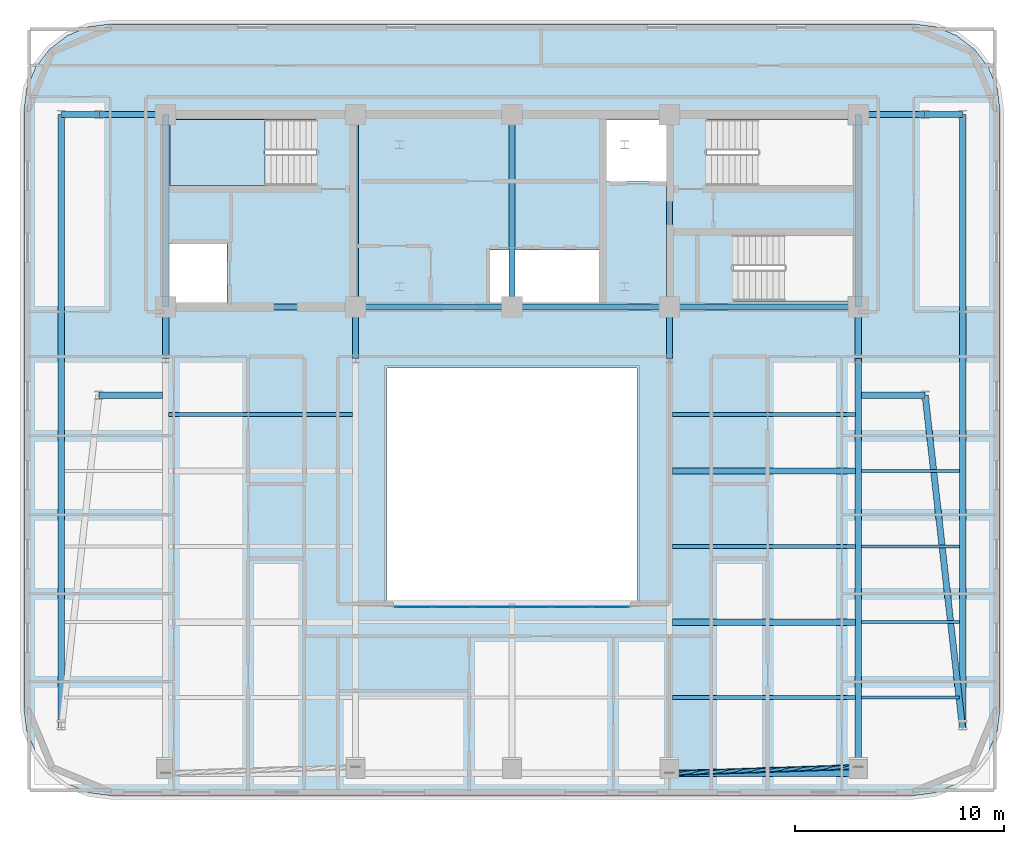
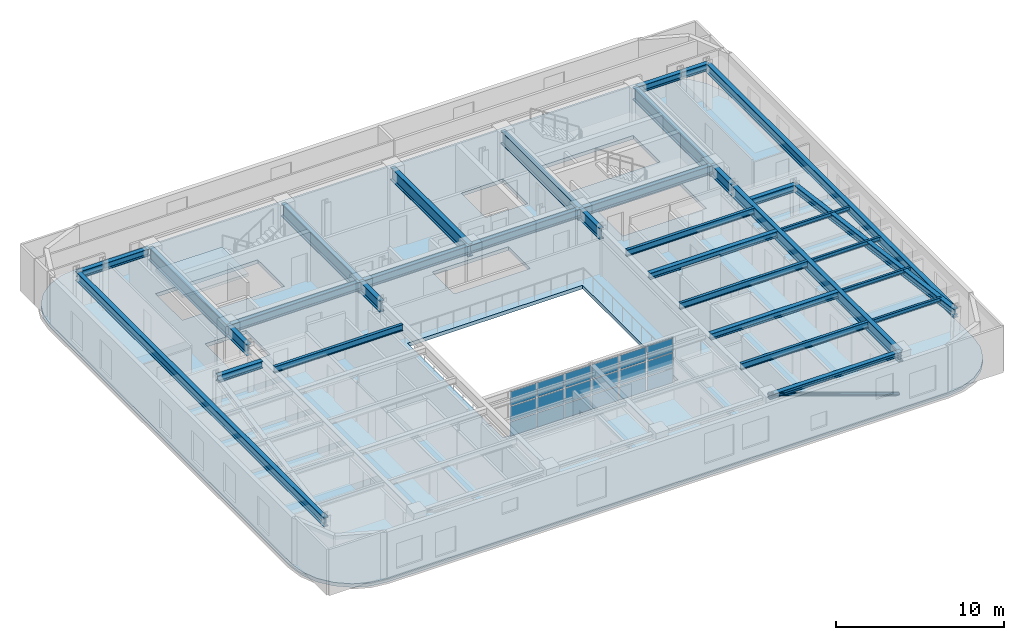
# One storey, part 3 of 14: 34 beams, 18 plates, 2 slabs, 1 member, 2 elements without a shape of their own.
"""IFC4 building model written with IfcOpenShell, lengths in metres."""

from ifc_helpers import new_model, si_unit, direction, frame, origin, origin_2d, place, context, subcontext, project, spatial, polyline, rectangle, hollow_circle, i_section, outline, extrude, material, layer, layer_set, material_profile, profile_set, type_object, element, aggregate, save


model = new_model("IFC4")

# Units and contexts
model_context = context("Model", 3, precision=1e-05, world=origin(), true_north=direction((0.0, 1.0)))
body_context = subcontext(model_context, "Body", "Model", "MODEL_VIEW")
ifc_project = project(units=[si_unit("LENGTHUNIT", "METRE"), si_unit("AREAUNIT", "SQUARE_METRE"), si_unit("VOLUMEUNIT", "CUBIC_METRE"), si_unit("PLANEANGLEUNIT", "RADIAN"), si_unit("MASSUNIT", "GRAM", prefix="KILO")], contexts=[model_context])

# Site, building, storey
site_placement = place(None, origin())
site = spatial("IfcSite", under=ifc_project, at=site_placement, CompositionType="ELEMENT")
building_placement = place(site_placement, origin())
building = spatial("IfcBuilding", under=site, at=building_placement, Name="Zarnavel Station Tower", CompositionType="ELEMENT")
storey_placement = place(building_placement, frame((0.0, 0.0, 225.60009765625)))
storey = spatial("IfcBuildingStorey", under=building, at=storey_placement, Name="L61", CompositionType="ELEMENT", Elevation=225.60009765625)

# Member
ifc_material_1 = material(Name="Steel S355J2", Category="steel")
ifc_material_profile_1 = material_profile(ifc_material_1, hollow_circle(Radius=0.122314453125, WallThickness=0.010009765625, at=origin_2d()), Name="CHS244.5x10")
ifc_profile_set_1 = profile_set([ifc_material_profile_1], Name="Steel S355J2")
member_type = type_object("IfcMemberType", Name="DB_EXT_CHS245", PredefinedType="BRACE", material=ifc_profile_set_1)
member_placement = place(storey_placement, frame((45.39990234375, 5.7841796875, 0.0), z_axis=(-0.937689468376, -0.031367620071, 0.346055679491), x_axis=(0.033433332735, -0.999440949863, 0.0)))
element("IfcMember", 1, at=member_placement, inside=storey, type_object=member_type, Name="L61 Persian Exterior Diagonal Frame Brace 2", PredefinedType="BRACE", context=body_context, shape_type="SweptSolid", body=[
    extrude(hollow_circle(Radius=0.122314453125, WallThickness=0.010009765625, at=origin_2d()), origin(), (0.0, 0.0, 1.0), 9.651123046875),
])

# Beams
ifc_material_2 = material(Name="Steel S355J2", Category="steel")
ifc_material_profile_2 = material_profile(ifc_material_2, i_section(OverallWidth=0.300048828125, OverallDepth=0.320068359375, WebThickness=0.011474609375, FlangeThickness=0.0205078125, FilletRadius=0.027099609375, at=origin_2d()), Name="HEB320")
ifc_profile_set_2 = profile_set([ifc_material_profile_2], Name="Steel S355J2")
beam_type_1 = type_object("IfcBeamType", Name="EB_HEB320", PredefinedType="SPANDREL", material=ifc_profile_set_2)
beam_1_placement = place(storey_placement, frame((36.35009765625, 5.4814453125, 3.179931640625), z_axis=(1.0, 0.0, 0.0), x_axis=(0.0, 1.0, 0.0)))
element("IfcBeam", 2, at=beam_1_placement, inside=storey, type_object=beam_type_1, Name="L61 South Raked Spandrel 4", PredefinedType="SPANDREL", context=body_context, shape_type="SweptSolid", body=[
    extrude(i_section(OverallWidth=0.300048828125, OverallDepth=0.320068359375, WebThickness=0.011474609375, FlangeThickness=0.0205078125, FilletRadius=0.027099609375, at=origin_2d()), origin(), (0.0, 0.0, 1.0), 9.0498046875),
])
ifc_material_3 = material(Name="Steel S355J2", Category="steel")
ifc_material_profile_3 = material_profile(ifc_material_3, i_section(OverallWidth=0.300048828125, OverallDepth=0.43994140625, WebThickness=0.011474609375, FlangeThickness=0.02099609375, FilletRadius=0.027099609375, at=origin_2d()), Name="HEA450")
ifc_profile_set_3 = profile_set([ifc_material_profile_3], Name="Steel S355J2")
beam_type_2 = type_object("IfcBeamType", Name="FB_HEA450", PredefinedType="BEAM", material=ifc_profile_set_3)
for number, where, z_axis, x_axis, name in (
    (3, (36.4951171875, 12.720947265625, 3.119873046875), (1.0, 0.0, 0.0), (0.0, 1.0, 0.0), "L61 East Bay Beam 2"),
    (4, (36.4951171875, 19.96044921875, 3.119873046875), (1.0, 0.0, 0.0), (0.0, 1.0, 0.0), "L61 East Bay Beam 4"),
):
    element("IfcBeam", number, at=place(storey_placement, frame(where, z_axis=z_axis, x_axis=x_axis)), inside=storey, type_object=beam_type_2, Name=name, PredefinedType="BEAM", context=body_context, shape_type="SweptSolid", body=[
        extrude(i_section(OverallWidth=0.300048828125, OverallDepth=0.43994140625, WebThickness=0.011474609375, FlangeThickness=0.02099609375, FilletRadius=0.027099609375, at=origin_2d()), origin(), (0.0, 0.0, 1.0), 8.759765625),
    ])
ifc_material_4 = material(Name="Steel S355J2", Category="steel")
ifc_material_profile_4 = material_profile(ifc_material_4, i_section(OverallWidth=0.18994140625, OverallDepth=0.449951171875, WebThickness=0.009521484375, FlangeThickness=0.0146484375, FilletRadius=0.02099609375, at=origin_2d()), Name="IPE450")
ifc_profile_set_4 = profile_set([ifc_material_profile_4], Name="Steel S355J2")
beam_type_3 = type_object("IfcBeamType", Name="FB_IPE450", PredefinedType="BEAM", material=ifc_profile_set_4)
for number, where, z_axis, x_axis, name in (
    (5, (36.4951171875, 9.101318359375, 3.114990234375), (1.0, 0.0, 0.0), (0.0, 1.0, 0.0), "L61 East Bay Beam 1"),
    (6, (36.4951171875, 16.3408203125, 3.114990234375), (1.0, 0.0, 0.0), (0.0, 1.0, 0.0), "L61 East Bay Beam 3"),
):
    element("IfcBeam", number, at=place(storey_placement, frame(where, z_axis=z_axis, x_axis=x_axis)), inside=storey, type_object=beam_type_3, Name=name, PredefinedType="BEAM", context=body_context, shape_type="SweptSolid", body=[
        extrude(i_section(OverallWidth=0.18994140625, OverallDepth=0.449951171875, WebThickness=0.009521484375, FlangeThickness=0.0146484375, FilletRadius=0.02099609375, at=origin_2d()), origin(), (0.0, 0.0, 1.0), 8.759765625),
    ])
beam_2_placement = place(storey_placement, frame((12.344970703125, 22.68017578125, 3.114990234375), z_axis=(1.0, 0.0, 0.0), x_axis=(0.0, 1.0, 0.0)))
element("IfcBeam", 7, at=beam_2_placement, inside=storey, type_object=beam_type_3, Name="L61 West Bay Beam 5", PredefinedType="BEAM", context=body_context, shape_type="SweptSolid", body=[
    extrude(i_section(OverallWidth=0.18994140625, OverallDepth=0.449951171875, WebThickness=0.009521484375, FlangeThickness=0.0146484375, FilletRadius=0.02099609375, at=origin_2d()), origin(), (0.0, 0.0, 1.0), 8.81005859375),
])
beam_3_placement = place(storey_placement, frame((36.4951171875, 22.68017578125, 3.114990234375), z_axis=(1.0, 0.0, 0.0), x_axis=(0.0, 1.0, 0.0)))
element("IfcBeam", 8, at=beam_3_placement, inside=storey, type_object=beam_type_3, Name="L61 East Bay Beam 5", PredefinedType="BEAM", context=body_context, shape_type="SweptSolid", body=[
    extrude(i_section(OverallWidth=0.18994140625, OverallDepth=0.449951171875, WebThickness=0.009521484375, FlangeThickness=0.0146484375, FilletRadius=0.02099609375, at=origin_2d()), origin(), (0.0, 0.0, 1.0), 8.759765625),
])
ifc_material_5 = material(Name="Steel S355J2", Category="steel")
ifc_material_profile_5 = material_profile(ifc_material_5, i_section(OverallWidth=0.300048828125, OverallDepth=0.5, WebThickness=0.014404296875, FlangeThickness=0.028076171875, FilletRadius=0.027099609375, at=origin_2d()), Name="HEB500")
ifc_profile_set_5 = profile_set([ifc_material_profile_5], Name="Steel S355J2")
beam_type_4 = type_object("IfcBeamType", Name="FG_HEB500", PredefinedType="USERDEFINED", material=ifc_profile_set_5)
beam_4_placement = place(storey_placement, frame((7.199951171875, 37.050048828125, 3.08984375), z_axis=(1.0, 0.0, 0.0), x_axis=(0.0, 1.0, 0.0)))
element("IfcBeam", 9, at=beam_4_placement, inside=storey, type_object=beam_type_4, Name="L61 West Wing North Tie 1", ObjectType="GIRDER", PredefinedType="USERDEFINED", context=body_context, shape_type="SweptSolid", body=[
    extrude(i_section(OverallWidth=0.300048828125, OverallDepth=0.5, WebThickness=0.014404296875, FlangeThickness=0.028076171875, FilletRadius=0.027099609375, at=origin_2d()), origin(), (0.0, 0.0, 1.0), 1.800048828125),
])
for number, where, z_axis, x_axis, name in (
    (10, (9.0, 23.60009765625, 3.08984375), (1.0, 0.0, 0.0), (0.0, 1.0, 0.0), "L61 West Wing South Tie 2"),
    (11, (9.0, 37.050048828125, 3.08984375), (1.0, 0.0, 0.0), (0.0, 1.0, 0.0), "L61 West Wing North Tie 2"),
):
    element("IfcBeam", number, at=place(storey_placement, frame(where, z_axis=z_axis, x_axis=x_axis)), inside=storey, type_object=beam_type_4, Name=name, ObjectType="GIRDER", PredefinedType="USERDEFINED", context=body_context, shape_type="SweptSolid", body=[
        extrude(i_section(OverallWidth=0.300048828125, OverallDepth=0.5, WebThickness=0.014404296875, FlangeThickness=0.028076171875, FilletRadius=0.027099609375, at=origin_2d()), origin(), (0.0, 0.0, 1.0), 3.054931640625),
    ])
for number, where, z_axis, x_axis, name in (
    (12, (45.544921875, 23.60009765625, 3.08984375), (1.0, 0.0, 0.0), (0.0, 1.0, 0.0), "L61 East Wing South Tie 1"),
    (13, (45.544921875, 37.050048828125, 3.08984375), (1.0, 0.0, 0.0), (0.0, 1.0, 0.0), "L61 East Wing North Tie 1"),
):
    element("IfcBeam", number, at=place(storey_placement, frame(where, z_axis=z_axis, x_axis=x_axis)), inside=storey, type_object=beam_type_4, Name=name, ObjectType="GIRDER", PredefinedType="USERDEFINED", context=body_context, shape_type="SweptSolid", body=[
        extrude(i_section(OverallWidth=0.300048828125, OverallDepth=0.5, WebThickness=0.014404296875, FlangeThickness=0.028076171875, FilletRadius=0.027099609375, at=origin_2d()), origin(), (0.0, 0.0, 1.0), 3.05517578125),
    ])
beam_5_placement = place(storey_placement, frame((48.60009765625, 23.60009765625, 3.08984375), z_axis=(0.11160957251, -0.993752133746, 0.0), x_axis=(0.993752133746, 0.11160957251, 0.0)))
element("IfcBeam", 14, at=beam_5_placement, inside=storey, type_object=beam_type_4, Name="L61 East Wing South Tie 2", ObjectType="GIRDER", PredefinedType="USERDEFINED", context=body_context, shape_type="SweptSolid", body=[
    extrude(i_section(OverallWidth=0.300048828125, OverallDepth=0.5, WebThickness=0.014404296875, FlangeThickness=0.028076171875, FilletRadius=0.027099609375, at=origin_2d()), origin(), (0.0, 0.0, 1.0), 16.1259765625),
])
beam_6_placement = place(storey_placement, frame((48.60009765625, 37.050048828125, 3.08984375), z_axis=(1.0, 0.0, 0.0), x_axis=(0.0, 1.0, 0.0)))
element("IfcBeam", 15, at=beam_6_placement, inside=storey, type_object=beam_type_4, Name="L61 East Wing North Tie 2", ObjectType="GIRDER", PredefinedType="USERDEFINED", context=body_context, shape_type="SweptSolid", body=[
    extrude(i_section(OverallWidth=0.300048828125, OverallDepth=0.5, WebThickness=0.014404296875, FlangeThickness=0.028076171875, FilletRadius=0.027099609375, at=origin_2d()), origin(), (0.0, 0.0, 1.0), 1.7998046875),
])
ifc_material_6 = material(Name="Steel S355J2", Category="steel")
ifc_material_profile_6 = material_profile(ifc_material_6, i_section(OverallWidth=0.300048828125, OverallDepth=0.60009765625, WebThickness=0.015380859375, FlangeThickness=0.030029296875, FilletRadius=0.027099609375, at=origin_2d()), Name="HEB600")
ifc_profile_set_6 = profile_set([ifc_material_profile_6], Name="Steel S355J2")
beam_type_5 = type_object("IfcBeamType", Name="FG_HEB600", PredefinedType="USERDEFINED", material=ifc_profile_set_6)
beam_7_placement = place(storey_placement, frame((12.199951171875, 27.820068359375, 3.039794921875), z_axis=(1.0, 0.0, 0.0), x_axis=(0.0, 1.0, 0.0)))
element("IfcBeam", 16, at=beam_7_placement, inside=storey, type_object=beam_type_5, Name="L61 Core Front Coupling Beam 1", ObjectType="GIRDER", PredefinedType="USERDEFINED", context=body_context, shape_type="SweptSolid", body=[
    extrude(i_section(OverallWidth=0.300048828125, OverallDepth=0.60009765625, WebThickness=0.015380859375, FlangeThickness=0.030029296875, FilletRadius=0.027099609375, at=origin_2d()), origin(), (0.0, 0.0, 1.0), 9.10009765625),
])
beam_8_placement = place(storey_placement, frame((21.300048828125, 27.820068359375, 3.039794921875), z_axis=(1.0, 0.0, 0.0), x_axis=(0.0, 1.0, 0.0)))
element("IfcBeam", 17, at=beam_8_placement, inside=storey, type_object=beam_type_5, Name="L61 Core Front Coupling Beam 2", ObjectType="GIRDER", PredefinedType="USERDEFINED", context=body_context, shape_type="SweptSolid", body=[
    extrude(i_section(OverallWidth=0.300048828125, OverallDepth=0.60009765625, WebThickness=0.015380859375, FlangeThickness=0.030029296875, FilletRadius=0.027099609375, at=origin_2d()), origin(), (0.0, 0.0, 1.0), 7.5),
])
beam_9_placement = place(storey_placement, frame((28.800048828125, 27.820068359375, 3.039794921875), z_axis=(1.0, 0.0, 0.0), x_axis=(0.0, 1.0, 0.0)))
element("IfcBeam", 18, at=beam_9_placement, inside=storey, type_object=beam_type_5, Name="L61 Core Front Coupling Beam 3", ObjectType="GIRDER", PredefinedType="USERDEFINED", context=body_context, shape_type="SweptSolid", body=[
    extrude(i_section(OverallWidth=0.300048828125, OverallDepth=0.60009765625, WebThickness=0.015380859375, FlangeThickness=0.030029296875, FilletRadius=0.027099609375, at=origin_2d()), origin(), (0.0, 0.0, 1.0), 7.550048828125),
])
beam_10_placement = place(storey_placement, frame((36.35009765625, 27.820068359375, 3.039794921875), z_axis=(1.0, 0.0, 0.0), x_axis=(0.0, 1.0, 0.0)))
element("IfcBeam", 19, at=beam_10_placement, inside=storey, type_object=beam_type_5, Name="L61 Core Front Coupling Beam 4", ObjectType="GIRDER", PredefinedType="USERDEFINED", context=body_context, shape_type="SweptSolid", body=[
    extrude(i_section(OverallWidth=0.300048828125, OverallDepth=0.60009765625, WebThickness=0.015380859375, FlangeThickness=0.030029296875, FilletRadius=0.027099609375, at=origin_2d()), origin(), (0.0, 0.0, 1.0), 9.0498046875),
])
ifc_material_7 = material(Name="Steel S355J2", Category="steel")
ifc_material_profile_7 = material_profile(ifc_material_7, i_section(OverallWidth=0.300048828125, OverallDepth=0.64990234375, WebThickness=0.01611328125, FlangeThickness=0.031005859375, FilletRadius=0.027099609375, at=origin_2d()), Name="HEB650")
ifc_profile_set_7 = profile_set([ifc_material_profile_7], Name="Steel S355J2")
beam_type_6 = type_object("IfcBeamType", Name="FG_HEB650", PredefinedType="USERDEFINED", material=ifc_profile_set_7)
for number, where, z_axis, x_axis, name in (
    (20, (7.199951171875, 7.574951171875, 3.014892578125), (0.0, 1.0, 0.0), (-1.0, 0.0, 0.0), "L61 Wing NS Girder 1"),
    (21, (50.39990234375, 7.574951171875, 3.014892578125), (0.0, 1.0, 0.0), (-1.0, 0.0, 0.0), "L61 Wing NS Girder 2"),
):
    element("IfcBeam", number, at=place(storey_placement, frame(where, z_axis=z_axis, x_axis=x_axis)), inside=storey, type_object=beam_type_6, Name=name, ObjectType="GIRDER", PredefinedType="USERDEFINED", context=body_context, shape_type="SweptSolid", body=[
        extrude(i_section(OverallWidth=0.300048828125, OverallDepth=0.64990234375, WebThickness=0.01611328125, FlangeThickness=0.031005859375, FilletRadius=0.027099609375, at=origin_2d()), origin(), (0.0, 0.0, 1.0), 29.47509765625),
    ])
ifc_material_8 = material(Name="Steel S355J2", Category="steel")
ifc_material_profile_8 = material_profile(ifc_material_8, i_section(OverallWidth=0.300048828125, OverallDepth=0.800048828125, WebThickness=0.017578125, FlangeThickness=0.032958984375, FilletRadius=0.030029296875, at=origin_2d()), Name="HEB800")
ifc_profile_set_8 = profile_set([ifc_material_profile_8], Name="Steel S355J2")
beam_type_7 = type_object("IfcBeamType", Name="FG_HEB800", PredefinedType="USERDEFINED", material=ifc_profile_set_8)
for number, where, z_axis, x_axis, name in (
    (22, (12.199951171875, 25.35009765625, 2.93994140625), (0.0, 1.0, 0.0), (-1.0, 0.0, 0.0), "L61 Inner-Zone NS Girder 1"),
    (23, (21.300048828125, 25.35009765625, 2.93994140625), (0.0, 1.0, 0.0), (-1.0, 0.0, 0.0), "L61 Inner-Zone NS Girder 2"),
    (24, (36.35009765625, 25.35009765625, 2.93994140625), (0.0, 1.0, 0.0), (-1.0, 0.0, 0.0), "L61 Inner-Zone NS Girder 4"),
):
    element("IfcBeam", number, at=place(storey_placement, frame(where, z_axis=z_axis, x_axis=x_axis)), inside=storey, type_object=beam_type_7, Name=name, ObjectType="GIRDER", PredefinedType="USERDEFINED", context=body_context, shape_type="SweptSolid", body=[
        extrude(i_section(OverallWidth=0.300048828125, OverallDepth=0.800048828125, WebThickness=0.017578125, FlangeThickness=0.032958984375, FilletRadius=0.030029296875, at=origin_2d()), origin(), (0.0, 0.0, 1.0), 2.469970703125),
    ])
beam_11_placement = place(storey_placement, frame((45.39990234375, 5.4814453125, 2.93994140625), z_axis=(0.0, 1.0, 0.0), x_axis=(-1.0, 0.0, 0.0)))
element("IfcBeam", 25, at=beam_11_placement, inside=storey, type_object=beam_type_7, Name="L61 South-Zone NS Girder 5", ObjectType="GIRDER", PredefinedType="USERDEFINED", context=body_context, shape_type="SweptSolid", body=[
    extrude(i_section(OverallWidth=0.300048828125, OverallDepth=0.800048828125, WebThickness=0.017578125, FlangeThickness=0.032958984375, FilletRadius=0.030029296875, at=origin_2d()), origin(), (0.0, 0.0, 1.0), 19.86865234375),
])
beam_12_placement = place(storey_placement, frame((45.39990234375, 25.35009765625, 2.93994140625), z_axis=(0.0, 1.0, 0.0), x_axis=(-1.0, 0.0, 0.0)))
element("IfcBeam", 26, at=beam_12_placement, inside=storey, type_object=beam_type_7, Name="L61 Inner-Zone NS Girder 5", ObjectType="GIRDER", PredefinedType="USERDEFINED", context=body_context, shape_type="SweptSolid", body=[
    extrude(i_section(OverallWidth=0.300048828125, OverallDepth=0.800048828125, WebThickness=0.017578125, FlangeThickness=0.032958984375, FilletRadius=0.030029296875, at=origin_2d()), origin(), (0.0, 0.0, 1.0), 2.469970703125),
])
ifc_material_9 = material(Name="Steel S355J2", Category="steel")
ifc_material_profile_9 = material_profile(ifc_material_9, i_section(OverallWidth=0.14990234375, OverallDepth=0.300048828125, WebThickness=0.007080078125, FlangeThickness=0.0107421875, FilletRadius=0.014892578125, at=origin_2d()), Name="IPE300")
ifc_profile_set_9 = profile_set([ifc_material_profile_9], Name="Steel S355J2")
beam_type_8 = type_object("IfcBeamType", Name="FJ_IPE300", PredefinedType="JOIST", material=ifc_profile_set_9)
for number, where, z_axis, x_axis, name in (
    (27, (45.544921875, 9.101318359375, 3.18994140625), (1.0, 0.0, 0.0), (0.0, 1.0, 0.0), "L61 East Wing Joist 1"),
    (28, (45.544921875, 12.720947265625, 3.18994140625), (1.0, 0.0, 0.0), (0.0, 1.0, 0.0), "L61 East Wing Joist 2"),
    (29, (45.544921875, 16.3408203125, 3.18994140625), (1.0, 0.0, 0.0), (0.0, 1.0, 0.0), "L61 East Wing Joist 3"),
    (30, (45.544921875, 19.96044921875, 3.18994140625), (1.0, 0.0, 0.0), (0.0, 1.0, 0.0), "L61 East Wing Joist 4"),
):
    element("IfcBeam", number, at=place(storey_placement, frame(where, z_axis=z_axis, x_axis=x_axis)), inside=storey, type_object=beam_type_8, Name=name, PredefinedType="JOIST", context=body_context, shape_type="SweptSolid", body=[
        extrude(i_section(OverallWidth=0.14990234375, OverallDepth=0.300048828125, WebThickness=0.007080078125, FlangeThickness=0.0107421875, FilletRadius=0.014892578125, at=origin_2d()), origin(), (0.0, 0.0, 1.0), 4.7099609375),
    ])
ifc_material_10 = material(Name="Steel S460M", Category="steel")
ifc_material_profile_10 = material_profile(ifc_material_10, i_section(OverallWidth=0.302001953125, OverallDepth=0.909912109375, WebThickness=0.02099609375, FlangeThickness=0.0400390625, FilletRadius=0.030029296875, at=origin_2d()), Name="HEM900")
ifc_profile_set_10 = profile_set([ifc_material_profile_10], Name="Steel S460M")
beam_type_9 = type_object("IfcBeamType", Name="TG_HEM900", PredefinedType="USERDEFINED", material=ifc_profile_set_10)
for number, where, z_axis, x_axis, name in (
    (31, (12.199951171875, 27.820068359375, 2.885009765625), (0.0, 1.0, 0.0), (-1.0, 0.0, 0.0), "L61 Core Spine Coupling Girder 1"),
    (32, (21.300048828125, 27.820068359375, 2.885009765625), (0.0, 1.0, 0.0), (-1.0, 0.0, 0.0), "L61 Core Spine Coupling Girder 2"),
    (33, (28.800048828125, 27.820068359375, 2.885009765625), (0.0, 1.0, 0.0), (-1.0, 0.0, 0.0), "L61 Core Spine Coupling Girder 3"),
    (34, (36.35009765625, 27.820068359375, 2.885009765625), (0.0, 1.0, 0.0), (-1.0, 0.0, 0.0), "L61 Core Spine Coupling Girder 4"),
    (35, (45.39990234375, 27.820068359375, 2.885009765625), (0.0, 1.0, 0.0), (-1.0, 0.0, 0.0), "L61 Core Spine Coupling Girder 5"),
):
    element("IfcBeam", number, at=place(storey_placement, frame(where, z_axis=z_axis, x_axis=x_axis)), inside=storey, type_object=beam_type_9, Name=name, ObjectType="GIRDER", PredefinedType="USERDEFINED", context=body_context, shape_type="SweptSolid", body=[
        extrude(i_section(OverallWidth=0.302001953125, OverallDepth=0.909912109375, WebThickness=0.02099609375, FlangeThickness=0.0400390625, FilletRadius=0.030029296875, at=origin_2d()), origin(), (0.0, 0.0, 1.0), 9.22998046875),
    ])

# Curtain wall, plates
ifc_material_11 = material(Name="Aluminium Dark Anodised and Solar-Control Glass", Category="aluminium")
ifc_layer_1 = layer(ifc_material_11, 0.179931640625)
ifc_layer_set_1 = layer_set([ifc_layer_1], Name="CWS5")
curtain_wall_type = type_object("IfcCurtainWallType", Name="CWS5", PredefinedType="NOTDEFINED", material=ifc_layer_set_1)
curtain_wall_placement = place(storey_placement, origin())
curtain_wall = element("IfcCurtainWall", 36, at=curtain_wall_placement, inside=storey, type_object=curtain_wall_type, Name="L61 Curtain Wall CWS5-L61-AS", PredefinedType="NOTDEFINED")
ifc_material_12 = material(Name="Double Low-E Dark Solar-Control Glass", Category="glass")
ifc_layer_2 = layer(ifc_material_12, 0.033935546875)
ifc_layer_set_2 = layer_set([ifc_layer_2], Name="CWS5_PNL")
plate_type = type_object("IfcPlateType", Name="CWS5_PNL", PredefinedType="CURTAIN_PANEL", material=ifc_layer_set_2)
plate_1_placement = place(storey_placement, frame((24.106689453125, 13.449951171875, 0.06005859375), z_axis=(0.0, 0.0, 1.0), x_axis=(1.0, 0.0, 0.0)))
plate_1 = element("IfcPlate", 37, at=plate_1_placement, type_object=plate_type, Name="CW5 panel 1.1", PredefinedType="CURTAIN_PANEL", context=body_context, shape_type="SweptSolid", body=[
    extrude(rectangle(XDim=1.793212890625, YDim=0.028076171875, at=origin_2d()), origin(), (0.0, 0.0, 1.0), 1.023193359375),
])
plate_2_placement = place(storey_placement, frame((24.106689453125, 13.449951171875, 1.14306640625), z_axis=(0.0, 0.0, 1.0), x_axis=(1.0, 0.0, 0.0)))
plate_2 = element("IfcPlate", 38, at=plate_2_placement, type_object=plate_type, Name="CW5 panel 1.2", PredefinedType="CURTAIN_PANEL", context=body_context, shape_type="SweptSolid", body=[
    extrude(rectangle(XDim=1.793212890625, YDim=0.028076171875, at=origin_2d()), origin(), (0.0, 0.0, 1.0), 1.053466796875),
])
plate_3_placement = place(storey_placement, frame((24.106689453125, 13.449951171875, 2.2568359375), z_axis=(0.0, 0.0, 1.0), x_axis=(1.0, 0.0, 0.0)))
plate_3 = element("IfcPlate", 39, at=plate_3_placement, type_object=plate_type, Name="CW5 panel 1.3", PredefinedType="CURTAIN_PANEL", context=body_context, shape_type="SweptSolid", body=[
    extrude(rectangle(XDim=1.793212890625, YDim=0.028076171875, at=origin_2d()), origin(), (0.0, 0.0, 1.0), 1.023193359375),
])
plate_4_placement = place(storey_placement, frame((25.97509765625, 13.449951171875, 0.06005859375), z_axis=(0.0, 0.0, 1.0), x_axis=(1.0, 0.0, 0.0)))
plate_4 = element("IfcPlate", 40, at=plate_4_placement, type_object=plate_type, Name="CW5 panel 2.1", PredefinedType="CURTAIN_PANEL", context=body_context, shape_type="SweptSolid", body=[
    extrude(rectangle(XDim=1.8232421875, YDim=0.028076171875, at=origin_2d()), origin(), (0.0, 0.0, 1.0), 1.023193359375),
])
plate_5_placement = place(storey_placement, frame((25.97509765625, 13.449951171875, 1.14306640625), z_axis=(0.0, 0.0, 1.0), x_axis=(1.0, 0.0, 0.0)))
plate_5 = element("IfcPlate", 41, at=plate_5_placement, type_object=plate_type, Name="CW5 panel 2.2", PredefinedType="CURTAIN_PANEL", context=body_context, shape_type="SweptSolid", body=[
    extrude(rectangle(XDim=1.8232421875, YDim=0.028076171875, at=origin_2d()), origin(), (0.0, 0.0, 1.0), 1.053466796875),
])
plate_6_placement = place(storey_placement, frame((25.97509765625, 13.449951171875, 2.2568359375), z_axis=(0.0, 0.0, 1.0), x_axis=(1.0, 0.0, 0.0)))
plate_6 = element("IfcPlate", 42, at=plate_6_placement, type_object=plate_type, Name="CW5 panel 2.3", PredefinedType="CURTAIN_PANEL", context=body_context, shape_type="SweptSolid", body=[
    extrude(rectangle(XDim=1.8232421875, YDim=0.028076171875, at=origin_2d()), origin(), (0.0, 0.0, 1.0), 1.023193359375),
])
plate_7_placement = place(storey_placement, frame((27.8583984375, 13.449951171875, 0.06005859375), z_axis=(0.0, 0.0, 1.0), x_axis=(1.0, 0.0, 0.0)))
plate_7 = element("IfcPlate", 43, at=plate_7_placement, type_object=plate_type, Name="CW5 panel 3.1", PredefinedType="CURTAIN_PANEL", context=body_context, shape_type="SweptSolid", body=[
    extrude(rectangle(XDim=1.8232421875, YDim=0.028076171875, at=origin_2d()), origin(), (0.0, 0.0, 1.0), 1.023193359375),
])
plate_8_placement = place(storey_placement, frame((27.8583984375, 13.449951171875, 1.14306640625), z_axis=(0.0, 0.0, 1.0), x_axis=(1.0, 0.0, 0.0)))
plate_8 = element("IfcPlate", 44, at=plate_8_placement, type_object=plate_type, Name="CW5 panel 3.2", PredefinedType="CURTAIN_PANEL", context=body_context, shape_type="SweptSolid", body=[
    extrude(rectangle(XDim=1.8232421875, YDim=0.028076171875, at=origin_2d()), origin(), (0.0, 0.0, 1.0), 1.053466796875),
])
plate_9_placement = place(storey_placement, frame((27.8583984375, 13.449951171875, 2.2568359375), z_axis=(0.0, 0.0, 1.0), x_axis=(1.0, 0.0, 0.0)))
plate_9 = element("IfcPlate", 45, at=plate_9_placement, type_object=plate_type, Name="CW5 panel 3.3", PredefinedType="CURTAIN_PANEL", context=body_context, shape_type="SweptSolid", body=[
    extrude(rectangle(XDim=1.8232421875, YDim=0.028076171875, at=origin_2d()), origin(), (0.0, 0.0, 1.0), 1.023193359375),
])
plate_10_placement = place(storey_placement, frame((29.74169921875, 13.449951171875, 0.06005859375), z_axis=(0.0, 0.0, 1.0), x_axis=(1.0, 0.0, 0.0)))
plate_10 = element("IfcPlate", 46, at=plate_10_placement, type_object=plate_type, Name="CW5 panel 4.1", PredefinedType="CURTAIN_PANEL", context=body_context, shape_type="SweptSolid", body=[
    extrude(rectangle(XDim=1.8232421875, YDim=0.028076171875, at=origin_2d()), origin(), (0.0, 0.0, 1.0), 1.023193359375),
])
plate_11_placement = place(storey_placement, frame((29.74169921875, 13.449951171875, 1.14306640625), z_axis=(0.0, 0.0, 1.0), x_axis=(1.0, 0.0, 0.0)))
plate_11 = element("IfcPlate", 47, at=plate_11_placement, type_object=plate_type, Name="CW5 panel 4.2", PredefinedType="CURTAIN_PANEL", context=body_context, shape_type="SweptSolid", body=[
    extrude(rectangle(XDim=1.8232421875, YDim=0.028076171875, at=origin_2d()), origin(), (0.0, 0.0, 1.0), 1.053466796875),
])
plate_12_placement = place(storey_placement, frame((29.74169921875, 13.449951171875, 2.2568359375), z_axis=(0.0, 0.0, 1.0), x_axis=(1.0, 0.0, 0.0)))
plate_12 = element("IfcPlate", 48, at=plate_12_placement, type_object=plate_type, Name="CW5 panel 4.3", PredefinedType="CURTAIN_PANEL", context=body_context, shape_type="SweptSolid", body=[
    extrude(rectangle(XDim=1.8232421875, YDim=0.028076171875, at=origin_2d()), origin(), (0.0, 0.0, 1.0), 1.023193359375),
])
plate_13_placement = place(storey_placement, frame((31.625, 13.449951171875, 0.06005859375), z_axis=(0.0, 0.0, 1.0), x_axis=(1.0, 0.0, 0.0)))
plate_13 = element("IfcPlate", 49, at=plate_13_placement, type_object=plate_type, Name="CW5 panel 5.1", PredefinedType="CURTAIN_PANEL", context=body_context, shape_type="SweptSolid", body=[
    extrude(rectangle(XDim=1.8232421875, YDim=0.028076171875, at=origin_2d()), origin(), (0.0, 0.0, 1.0), 1.023193359375),
])
plate_14_placement = place(storey_placement, frame((31.625, 13.449951171875, 1.14306640625), z_axis=(0.0, 0.0, 1.0), x_axis=(1.0, 0.0, 0.0)))
plate_14 = element("IfcPlate", 50, at=plate_14_placement, type_object=plate_type, Name="CW5 panel 5.2", PredefinedType="CURTAIN_PANEL", context=body_context, shape_type="SweptSolid", body=[
    extrude(rectangle(XDim=1.8232421875, YDim=0.028076171875, at=origin_2d()), origin(), (0.0, 0.0, 1.0), 1.053466796875),
])
plate_15_placement = place(storey_placement, frame((31.625, 13.449951171875, 2.2568359375), z_axis=(0.0, 0.0, 1.0), x_axis=(1.0, 0.0, 0.0)))
plate_15 = element("IfcPlate", 51, at=plate_15_placement, type_object=plate_type, Name="CW5 panel 5.3", PredefinedType="CURTAIN_PANEL", context=body_context, shape_type="SweptSolid", body=[
    extrude(rectangle(XDim=1.8232421875, YDim=0.028076171875, at=origin_2d()), origin(), (0.0, 0.0, 1.0), 1.023193359375),
])
plate_16_placement = place(storey_placement, frame((33.493408203125, 13.449951171875, 0.06005859375), z_axis=(0.0, 0.0, 1.0), x_axis=(1.0, 0.0, 0.0)))
plate_16 = element("IfcPlate", 52, at=plate_16_placement, type_object=plate_type, Name="CW5 panel 6.1", PredefinedType="CURTAIN_PANEL", context=body_context, shape_type="SweptSolid", body=[
    extrude(rectangle(XDim=1.793212890625, YDim=0.028076171875, at=origin_2d()), origin(), (0.0, 0.0, 1.0), 1.023193359375),
])
plate_17_placement = place(storey_placement, frame((33.493408203125, 13.449951171875, 1.14306640625), z_axis=(0.0, 0.0, 1.0), x_axis=(1.0, 0.0, 0.0)))
plate_17 = element("IfcPlate", 53, at=plate_17_placement, type_object=plate_type, Name="CW5 panel 6.2", PredefinedType="CURTAIN_PANEL", context=body_context, shape_type="SweptSolid", body=[
    extrude(rectangle(XDim=1.793212890625, YDim=0.028076171875, at=origin_2d()), origin(), (0.0, 0.0, 1.0), 1.053466796875),
])
plate_18_placement = place(storey_placement, frame((33.493408203125, 13.449951171875, 2.2568359375), z_axis=(0.0, 0.0, 1.0), x_axis=(1.0, 0.0, 0.0)))
plate_18 = element("IfcPlate", 54, at=plate_18_placement, type_object=plate_type, Name="CW5 panel 6.3", PredefinedType="CURTAIN_PANEL", context=body_context, shape_type="SweptSolid", body=[
    extrude(rectangle(XDim=1.793212890625, YDim=0.028076171875, at=origin_2d()), origin(), (0.0, 0.0, 1.0), 1.023193359375),
])
aggregate(curtain_wall, [plate_1, plate_2, plate_3, plate_4, plate_5, plate_6, plate_7, plate_8, plate_9, plate_10, plate_11, plate_12, plate_13, plate_14, plate_15, plate_16, plate_17, plate_18])

# Slab
ifc_material_13 = material(Name="Concrete C45/55", Category="concrete")
ifc_layer_3 = layer(ifc_material_13, 0.260009765625)
ifc_layer_set_3 = layer_set([ifc_layer_3], Name="SL_FLR_260")
slab_type_1 = type_object("IfcSlabType", Name="SL_FLR_260", PredefinedType="FLOOR", material=ifc_layer_set_3)
slab_1_placement = place(storey_placement, frame((0.0, 0.0, -0.260009765625)))
element("IfcSlab", 55, at=slab_1_placement, inside=storey, type_object=slab_type_1, Name="L61 Structural Floor Slab", PredefinedType="FLOOR", context=body_context, shape_type="SweptSolid", body=[
    extrude(outline(polyline([(48.0, 4.39990234375), (49.0869140625, 4.543212890625), (50.10009765625, 4.962646484375), (50.9697265625, 5.630126953125), (51.63720703125, 6.5), (52.056884765625, 7.512939453125), (52.199951171875, 8.60009765625), (52.199951171875, 37.199951171875), (52.056884765625, 38.287109375), (51.63720703125, 39.300048828125), (50.9697265625, 40.169921875), (50.10009765625, 40.83740234375), (49.0869140625, 41.2568359375), (48.0, 41.39990234375), (9.60009765625, 41.39990234375), (8.512939453125, 41.2568359375), (7.5, 40.83740234375), (6.630126953125, 40.169921875), (5.962646484375, 39.300048828125), (5.543212890625, 38.287109375), (5.39990234375, 37.199951171875), (5.39990234375, 8.60009765625), (5.543212890625, 7.512939453125), (5.962646484375, 6.5), (6.630126953125, 5.630126953125), (7.5, 4.962646484375), (8.512939453125, 4.543212890625), (9.60009765625, 4.39990234375), (48.0, 4.39990234375)]), holes=[polyline([(12.39990234375, 33.659912109375), (19.409912109375, 33.659912109375), (19.409912109375, 36.820068359375), (12.39990234375, 36.820068359375), (12.39990234375, 33.659912109375)]), polyline([(38.14990234375, 33.659912109375), (45.159912109375, 33.659912109375), (45.159912109375, 36.820068359375), (38.14990234375, 36.820068359375), (38.14990234375, 33.659912109375)]), polyline([(39.419921875, 28.1201171875), (45.14990234375, 28.1201171875), (45.14990234375, 31.280029296875), (39.419921875, 31.280029296875), (39.419921875, 28.1201171875)]), polyline([(12.35009765625, 27.949951171875), (15.14990234375, 27.949951171875), (15.14990234375, 30.85009765625), (12.35009765625, 30.85009765625), (12.35009765625, 27.949951171875)]), polyline([(33.320068359375, 33.85009765625), (36.2099609375, 33.85009765625), (36.2099609375, 36.780029296875), (33.320068359375, 36.780029296875), (33.320068359375, 33.85009765625)]), polyline([(27.75, 27.949951171875), (32.97998046875, 27.949951171875), (32.97998046875, 30.550048828125), (27.75, 30.550048828125), (27.75, 27.949951171875)]), polyline([(22.800048828125, 13.60009765625), (34.800048828125, 13.60009765625), (34.800048828125, 24.89990234375), (22.800048828125, 24.89990234375), (22.800048828125, 13.60009765625)])]), origin(), (0.0, 0.0, 1.0), 0.260009765625),
])

# Stair, slab
ifc_material_14 = material(Name="Concrete C45/55", Category="concrete")
stair_type = type_object("IfcStairType", Name="ST_CORE_150", PredefinedType="HALF_TURN_STAIR", material=ifc_material_14)
stair_placement = place(storey_placement, origin())
stair = element("IfcStair", 56, at=stair_placement, inside=storey, type_object=stair_type, Name="L61 Core Exit Stair ST1", PredefinedType="HALF_TURN_STAIR")
ifc_material_15 = material(Name="Concrete C45/55", Category="concrete")
ifc_layer_4 = layer(ifc_material_15, 0.199951171875)
ifc_layer_set_4 = layer_set([ifc_layer_4], Name="SL_STAIR_LAND_200")
slab_type_2 = type_object("IfcSlabType", Name="SL_STAIR_LAND_200", PredefinedType="LANDING", material=ifc_layer_set_4)
slab_2_placement = place(storey_placement, frame((0.0, 0.0, 1.599853515625)))
slab_2 = element("IfcSlab", 57, at=slab_2_placement, type_object=slab_type_2, Name="ST1 landing 1", PredefinedType="LANDING", context=body_context, shape_type="SweptSolid", body=[
    extrude(outline(polyline([(16.9599609375, 36.820068359375), (12.39990234375, 36.820068359375), (12.39990234375, 33.659912109375), (16.9599609375, 33.659912109375), (16.9599609375, 36.820068359375)])), origin(), (0.0, 0.0, 1.0), 0.199951171875),
])
aggregate(stair, [slab_2])

save(model, "model.ifc")
